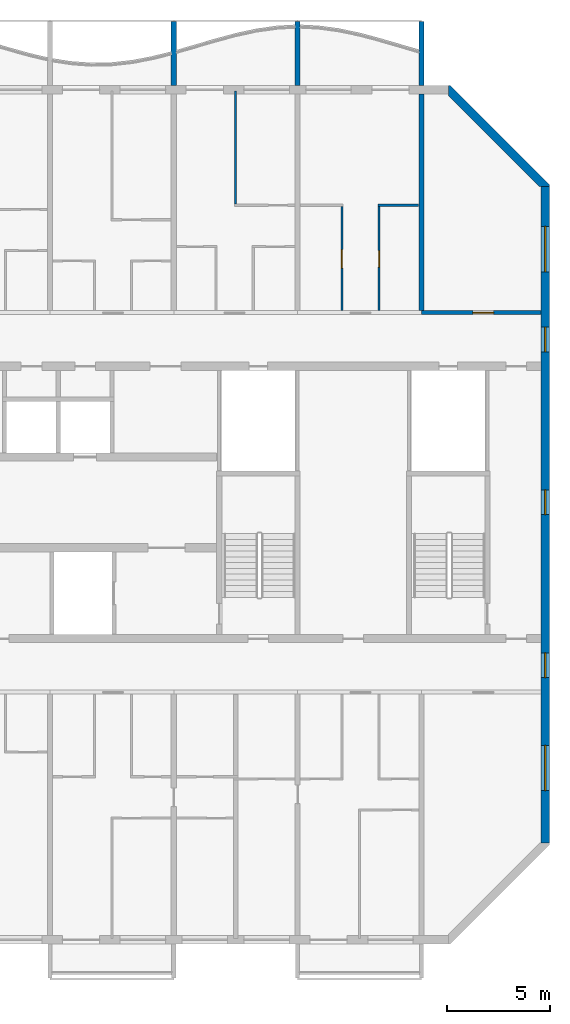
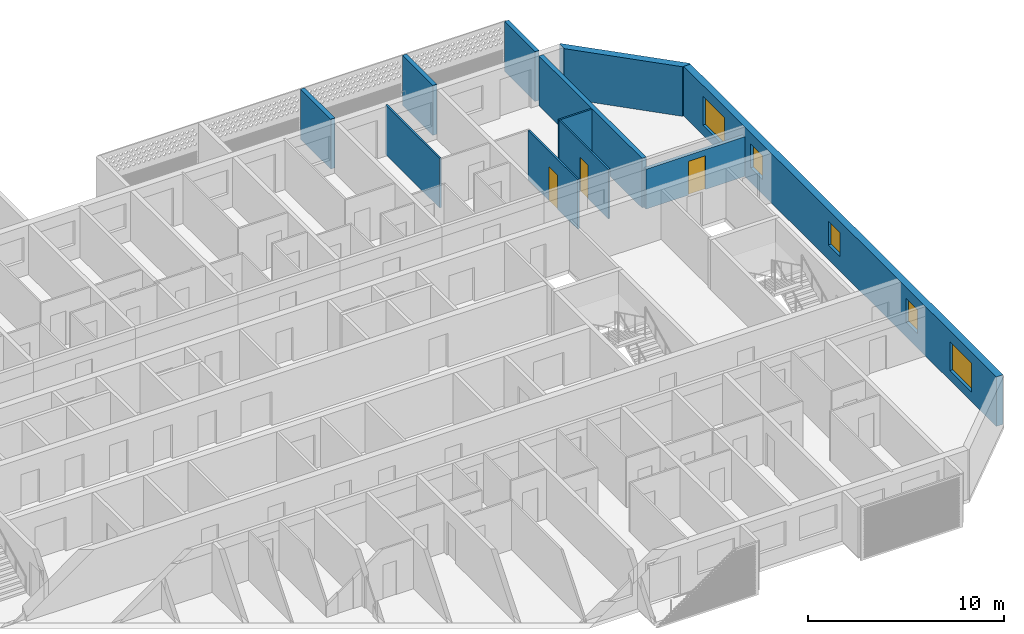
# One storey, part 11 of 28: 11 walls, 5 windows, 3 doors, 8 openings.
"""IFC4 building model written with IfcOpenShell, lengths in metres."""

from ifc_helpers import new_model, si_unit, direction, frame, frame_2d, origin, place, context, subcontext, project, spatial, polyline, rectangle, outline, extrude, source, transform, mapped, material, layer, layer_set, type_object, element, fill, save


model = new_model("IFC4")

# Units and contexts
model_context = context("Model", 3, precision=1e-05, world=origin(), true_north=direction((0.0, 1.0)))
body_context = subcontext(model_context, "Body", "Model", "MODEL_VIEW")
ifc_project = project(units=[si_unit("LENGTHUNIT", "METRE"), si_unit("AREAUNIT", "SQUARE_METRE"), si_unit("VOLUMEUNIT", "CUBIC_METRE"), si_unit("PLANEANGLEUNIT", "RADIAN"), si_unit("MASSUNIT", "GRAM", prefix="KILO")], contexts=[model_context])

# Site, building, storey
site_placement = place(None, origin())
site = spatial("IfcSite", under=ifc_project, at=site_placement, CompositionType="ELEMENT")
building_placement = place(site_placement, origin())
building = spatial("IfcBuilding", under=site, at=building_placement, Name="Poui Terraces", CompositionType="ELEMENT")
storey_placement = place(building_placement, frame((0.0, 0.0, 185.10009765625)))
storey = spatial("IfcBuildingStorey", under=building, at=storey_placement, Name="L51", CompositionType="ELEMENT", Elevation=185.10009765625)

# Wall, opening, door
ifc_material_1 = material(Name="Concrete 50 MPa", Category="concrete")
ifc_layer_1 = layer(ifc_material_1, 0.199951171875)
ifc_layer_set_1 = layer_set([ifc_layer_1], Name="Concrete 50 MPa")
wall_type_1 = type_object("IfcWallType", Name="CORRIDOR WALL 200 50MPa", PredefinedType="SHEAR", material=ifc_layer_set_1)
wall_1_placement = place(storey_placement, frame((78.0, 30.39990234375, 0.0), z_axis=(0.0, 0.0, 1.0), x_axis=(1.0, 0.0, 0.0)))
wall_1 = element("IfcWall", 1, at=wall_1_placement, inside=storey, type_object=wall_type_1, Name="CORRIDOR WALL LINE E BAY 11", PredefinedType="SHEAR", context=body_context, shape_type="SweptSolid", body=[
    extrude(rectangle(XDim=5.800048828125, YDim=0.199951171875, at=frame_2d((2.89990234375, 0.0))), origin(), (0.0, 0.0, 1.0), 2.47998046875),
])
opening_1_placement = place(wall_1_placement, frame((2.5, 0.0, 0.0)))
opening_1 = element("IfcOpeningElement", 2, at=opening_1_placement, cuts=wall_1, Name="Opening D100", PredefinedType="OPENING", context=body_context, shape_type="SweptSolid", body=[
    extrude(rectangle(XDim=1.0, YDim=2.10009765625, at=frame_2d((0.5, 1.050048828125))), frame((0.0, 0.10986328125, 0.0), z_axis=(0.0, -1.0, 0.0), x_axis=(1.0, 0.0, 0.0)), (0.0, 0.0, 1.0), 0.219970703125),
])
ifc_material_2 = material(Name="Solid core timber door", Category="wood")
door_type_1 = type_object("IfcDoorType", Name="ACCESSIBLE INTERNAL DOOR 1000 X 2100", OperationType="NOTDEFINED", PredefinedType="DOOR", material=ifc_material_2)
door_1_placement = place(opening_1_placement, origin())
door_1 = element("IfcDoor", 3, at=door_1_placement, inside=storey, type_object=door_type_1, Name="ACCESSIBLE INTERNAL DOOR 063", OperationType="SINGLE_SWING_LEFT", OverallHeight=2.10009765625, OverallWidth=1.0, PredefinedType="DOOR", context=body_context, shape_type="SweptSolid", body=[
    extrude(rectangle(XDim=1.0, YDim=2.10009765625, at=frame_2d((0.5, 1.050048828125))), frame((0.0, 0.02490234375, 0.0), z_axis=(0.0, -1.0, 0.0), x_axis=(1.0, 0.0, 0.0)), (0.0, 0.0, 1.0), 0.050048828125),
])
fill(opening_1, door_1)

# Wall
ifc_layer_2 = layer(ifc_material_1, 0.25)
ifc_layer_set_2 = layer_set([ifc_layer_2], Name="Concrete 50 MPa")
wall_type_2 = type_object("IfcWallType", Name="CROSS WALL 250 50MPa", PredefinedType="SHEAR", material=ifc_layer_set_2)
wall_2_placement = place(storey_placement, frame((78.0, 30.5, 0.0), z_axis=(0.0, 0.0, 1.0), x_axis=(0.0, 1.0, 0.0)))
element("IfcWall", 4, at=wall_2_placement, inside=storey, type_object=wall_type_2, Name="CROSS WALL LINE 14 NORTH", PredefinedType="SHEAR", context=body_context, shape_type="SweptSolid", body=[
    extrude(rectangle(XDim=10.5, YDim=0.25, at=frame_2d((5.25, 0.0))), origin(), (0.0, 0.0, 1.0), 3.079833984375),
])

# Wall, openings, windows
ifc_layer_3 = layer(ifc_material_1, 0.39990234375)
ifc_layer_set_3 = layer_set([ifc_layer_3], Name="Concrete 50 MPa")
wall_type_3 = type_object("IfcWallType", Name="END WALL 400 50MPa", PredefinedType="SHEAR", material=ifc_layer_set_3)
wall_3_placement = place(storey_placement, frame((84.0, 4.682861328125, 0.0), z_axis=(0.0, 0.0, 1.0), x_axis=(0.0, 1.0, 0.0)))
wall_3 = element("IfcWall", 5, at=wall_3_placement, inside=storey, type_object=wall_type_3, Name="END WALL EAST", PredefinedType="SHEAR", context=body_context, shape_type="SweptSolid", body=[
    extrude(rectangle(XDim=31.834228515625, YDim=0.39990234375, at=frame_2d((15.9169921875, 0.0))), origin(), (0.0, 0.0, 1.0), 3.079833984375),
])
opening_2_placement = place(wall_3_placement, frame((23.817138671875, 0.0, 0.89990234375)))
opening_2 = element("IfcOpeningElement", 6, at=opening_2_placement, cuts=wall_3, Name="Opening W2", PredefinedType="OPENING", context=body_context, shape_type="SweptSolid", body=[
    extrude(rectangle(XDim=1.199951171875, YDim=1.5, at=frame_2d((0.60009765625, 0.75))), frame((0.0, 0.2099609375, 0.0), z_axis=(0.0, -1.0, 0.0), x_axis=(1.0, 0.0, 0.0)), (0.0, 0.0, 1.0), 0.419921875),
])
opening_3_placement = place(wall_3_placement, frame((8.01708984375, 0.0, 0.89990234375)))
opening_3 = element("IfcOpeningElement", 7, at=opening_3_placement, cuts=wall_3, Name="Opening W2", PredefinedType="OPENING", context=body_context, shape_type="SweptSolid", body=[
    extrude(rectangle(XDim=1.199951171875, YDim=1.5, at=frame_2d((0.60009765625, 0.75))), frame((0.0, 0.2099609375, 0.0), z_axis=(0.0, -1.0, 0.0), x_axis=(1.0, 0.0, 0.0)), (0.0, 0.0, 1.0), 0.419921875),
])
opening_4_placement = place(wall_3_placement, frame((27.693603515625, 0.0, 0.60009765625)))
opening_4 = element("IfcOpeningElement", 8, at=opening_4_placement, cuts=wall_3, Name="Opening W3", PredefinedType="OPENING", context=body_context, shape_type="SweptSolid", body=[
    extrude(rectangle(XDim=2.199951171875, YDim=1.800048828125, at=frame_2d((1.10009765625, 0.89990234375))), frame((0.0, 0.2099609375, 0.0), z_axis=(0.0, -1.0, 0.0), x_axis=(1.0, 0.0, 0.0)), (0.0, 0.0, 1.0), 0.419921875),
])
opening_5_placement = place(wall_3_placement, frame((2.541015625, 0.0, 0.60009765625)))
opening_5 = element("IfcOpeningElement", 9, at=opening_5_placement, cuts=wall_3, Name="Opening W3", PredefinedType="OPENING", context=body_context, shape_type="SweptSolid", body=[
    extrude(rectangle(XDim=2.199951171875, YDim=1.800048828125, at=frame_2d((1.10009765625, 0.89990234375))), frame((0.0, 0.2099609375, 0.0), z_axis=(0.0, -1.0, 0.0), x_axis=(1.0, 0.0, 0.0)), (0.0, 0.0, 1.0), 0.419921875),
])
opening_6_placement = place(wall_3_placement, frame((15.917236328125, 0.0, 0.89990234375)))
opening_6 = element("IfcOpeningElement", 10, at=opening_6_placement, cuts=wall_3, Name="Opening W2", PredefinedType="OPENING", context=body_context, shape_type="SweptSolid", body=[
    extrude(rectangle(XDim=1.199951171875, YDim=1.5, at=frame_2d((0.60009765625, 0.75))), frame((0.0, 0.2099609375, 0.0), z_axis=(0.0, -1.0, 0.0), x_axis=(1.0, 0.0, 0.0)), (0.0, 0.0, 1.0), 0.419921875),
])
ifc_material_3 = material(Name="Clear glass in aluminium frame", Category="aluminium")
window_type_1 = type_object("IfcWindowType", Name="WINDOW 1200X1500", PartitioningType="SINGLE_PANEL", PredefinedType="WINDOW", material=ifc_material_3)
window_1_placement = place(opening_2_placement, origin())
window_1 = element("IfcWindow", 11, at=window_1_placement, inside=storey, type_object=window_type_1, Name="W2 WINDOW", OverallHeight=1.5, OverallWidth=1.199951171875, PartitioningType="SINGLE_PANEL", PredefinedType="WINDOW", context=body_context, shape_type="SweptSolid", body=[
    extrude(rectangle(XDim=1.199951171875, YDim=1.5, at=frame_2d((0.60009765625, 0.75))), frame((0.0, 0.030029296875, 0.0), z_axis=(0.0, -1.0, 0.0), x_axis=(1.0, 0.0, 0.0)), (0.0, 0.0, 1.0), 0.06005859375),
])
fill(opening_2, window_1)
window_2_placement = place(opening_3_placement, origin())
window_2 = element("IfcWindow", 12, at=window_2_placement, inside=storey, type_object=window_type_1, Name="W2 WINDOW", OverallHeight=1.5, OverallWidth=1.199951171875, PartitioningType="SINGLE_PANEL", PredefinedType="WINDOW", context=body_context, shape_type="SweptSolid", body=[
    extrude(rectangle(XDim=1.199951171875, YDim=1.5, at=frame_2d((0.60009765625, 0.75))), frame((0.0, 0.030029296875, 0.0), z_axis=(0.0, -1.0, 0.0), x_axis=(1.0, 0.0, 0.0)), (0.0, 0.0, 1.0), 0.06005859375),
])
fill(opening_3, window_2)
window_3_placement = place(opening_6_placement, origin())
window_3 = element("IfcWindow", 13, at=window_3_placement, inside=storey, type_object=window_type_1, Name="W2 WINDOW", OverallHeight=1.5, OverallWidth=1.199951171875, PartitioningType="SINGLE_PANEL", PredefinedType="WINDOW", context=body_context, shape_type="SweptSolid", body=[
    extrude(rectangle(XDim=1.199951171875, YDim=1.5, at=frame_2d((0.60009765625, 0.75))), frame((0.0, 0.030029296875, 0.0), z_axis=(0.0, -1.0, 0.0), x_axis=(1.0, 0.0, 0.0)), (0.0, 0.0, 1.0), 0.06005859375),
])
fill(opening_6, window_3)
window_type_2 = type_object("IfcWindowType", Name="WINDOW 2200X1800", PartitioningType="DOUBLE_PANEL_HORIZONTAL", PredefinedType="WINDOW", material=ifc_material_3)
window_4_placement = place(opening_4_placement, origin())
window_4 = element("IfcWindow", 14, at=window_4_placement, inside=storey, type_object=window_type_2, Name="W3 WINDOW", OverallHeight=1.800048828125, OverallWidth=2.199951171875, PartitioningType="DOUBLE_PANEL_HORIZONTAL", PredefinedType="WINDOW", context=body_context, shape_type="SweptSolid", body=[
    extrude(rectangle(XDim=2.199951171875, YDim=1.800048828125, at=frame_2d((1.10009765625, 0.89990234375))), frame((0.0, 0.030029296875, 0.0), z_axis=(0.0, -1.0, 0.0), x_axis=(1.0, 0.0, 0.0)), (0.0, 0.0, 1.0), 0.06005859375),
])
fill(opening_4, window_4)
window_5_placement = place(opening_5_placement, origin())
window_5 = element("IfcWindow", 15, at=window_5_placement, inside=storey, type_object=window_type_2, Name="W3 WINDOW", OverallHeight=1.800048828125, OverallWidth=2.199951171875, PartitioningType="DOUBLE_PANEL_HORIZONTAL", PredefinedType="WINDOW", context=body_context, shape_type="SweptSolid", body=[
    extrude(rectangle(XDim=2.199951171875, YDim=1.800048828125, at=frame_2d((1.10009765625, 0.89990234375))), frame((0.0, 0.030029296875, 0.0), z_axis=(0.0, -1.0, 0.0), x_axis=(1.0, 0.0, 0.0)), (0.0, 0.0, 1.0), 0.06005859375),
])
fill(opening_5, window_5)

# Walls
ifc_material_4 = material(Name="Plasterboard partition")
ifc_layer_4 = layer(ifc_material_4, 0.10009765625)
ifc_layer_set_4 = layer_set([ifc_layer_4], Name="Plasterboard partition")
wall_type_4 = type_object("IfcWallType", Name="FLAT PARTITION 100", PredefinedType="PARTITIONING", material=ifc_layer_set_4)
wall_4_placement = place(storey_placement, frame((75.89990234375, 35.60009765625, 0.0), z_axis=(0.0, 0.0, 1.0), x_axis=(1.0, 0.0, 0.0)))
element("IfcWall", 16, at=wall_4_placement, inside=storey, type_object=wall_type_4, Name="FLAT PARTITION 100", PredefinedType="PARTITIONING", context=body_context, shape_type="SweptSolid", body=[
    extrude(rectangle(XDim=1.965087890625, YDim=0.10009765625, at=frame_2d((0.982421875, 0.0))), origin(), (0.0, 0.0, 1.0), 3.079833984375),
])
wall_5_placement = place(storey_placement, frame((69.0, 35.64990234375, 0.0), z_axis=(0.0, 0.0, 1.0), x_axis=(0.0, 1.0, 0.0)))
element("IfcWall", 17, at=wall_5_placement, inside=storey, type_object=wall_type_4, Name="FLAT PARTITION 100", PredefinedType="PARTITIONING", context=body_context, shape_type="SweptSolid", body=[
    extrude(rectangle(XDim=5.489990234375, YDim=0.10009765625, at=frame_2d((2.7451171875, 0.0))), origin(), (0.0, 0.0, 1.0), 3.079833984375),
])

# Wall, opening, door
wall_6_placement = place(storey_placement, frame((74.14990234375, 30.510009765625, 0.0), z_axis=(0.0, 0.0, 1.0), x_axis=(0.0, 1.0, 0.0)))
wall_6 = element("IfcWall", 18, at=wall_6_placement, inside=storey, type_object=wall_type_4, Name="FLAT PARTITION 100", PredefinedType="PARTITIONING", context=body_context, shape_type="SweptSolid", body=[
    extrude(rectangle(XDim=5.0400390625, YDim=0.10009765625, at=frame_2d((2.52001953125, 0.0))), origin(), (0.0, 0.0, 1.0), 3.079833984375),
])
opening_7_placement = place(wall_6_placement, frame((2.0400390625, 0.0, 0.0)))
opening_7 = element("IfcOpeningElement", 19, at=opening_7_placement, cuts=wall_6, Name="Opening D90", PredefinedType="OPENING", context=body_context, shape_type="SweptSolid", body=[
    extrude(rectangle(XDim=0.89990234375, YDim=2.10009765625, at=frame_2d((0.449951171875, 1.050048828125))), frame((0.0, 0.06005859375, 0.0), z_axis=(0.0, -1.0, 0.0), x_axis=(1.0, 0.0, 0.0)), (0.0, 0.0, 1.0), 0.1201171875),
])
door_type_2 = type_object("IfcDoorType", Name="INTERNAL DOOR 900 X 2100", OperationType="NOTDEFINED", PredefinedType="DOOR", material=ifc_material_2)
door_2_placement = place(opening_7_placement, origin())
door_2 = element("IfcDoor", 20, at=door_2_placement, inside=storey, type_object=door_type_2, Name="INTERNAL DOOR 060", OperationType="SINGLE_SWING_LEFT", OverallHeight=2.10009765625, OverallWidth=0.89990234375, PredefinedType="DOOR", context=body_context, shape_type="SweptSolid", body=[
    extrude(rectangle(XDim=0.89990234375, YDim=2.10009765625, at=frame_2d((0.449951171875, 1.050048828125))), frame((0.0, 0.02490234375, 0.0), z_axis=(0.0, -1.0, 0.0), x_axis=(1.0, 0.0, 0.0)), (0.0, 0.0, 1.0), 0.050048828125),
])
fill(opening_7, door_2)

wall_7_placement = place(storey_placement, frame((75.949951171875, 30.510009765625, 0.0), z_axis=(0.0, 0.0, 1.0), x_axis=(0.0, 1.0, 0.0)))
wall_7 = element("IfcWall", 21, at=wall_7_placement, inside=storey, type_object=wall_type_4, Name="FLAT PARTITION 100", PredefinedType="PARTITIONING", context=body_context, shape_type="SweptSolid", body=[
    extrude(rectangle(XDim=5.0400390625, YDim=0.10009765625, at=frame_2d((2.52001953125, 0.0))), origin(), (0.0, 0.0, 1.0), 3.079833984375),
])
opening_8_placement = place(wall_7_placement, frame((2.090087890625, 0.0, 0.0)))
opening_8 = element("IfcOpeningElement", 22, at=opening_8_placement, cuts=wall_7, Name="Opening D80", PredefinedType="OPENING", context=body_context, shape_type="SweptSolid", body=[
    extrude(rectangle(XDim=0.800048828125, YDim=2.10009765625, at=frame_2d((0.39990234375, 1.050048828125))), frame((0.0, 0.06005859375, 0.0), z_axis=(0.0, -1.0, 0.0), x_axis=(1.0, 0.0, 0.0)), (0.0, 0.0, 1.0), 0.1201171875),
])
door_type_3 = type_object("IfcDoorType", Name="BATHROOM, LAUNDRY AND STORE DOOR 800 X 2100", OperationType="NOTDEFINED", PredefinedType="DOOR", material=ifc_material_2)
door_3_placement = place(opening_8_placement, frame((0.800048828125, 0.0, 0.0), z_axis=(0.0, 0.0, 1.0), x_axis=(-1.0, 0.0, 0.0)))
door_3 = element("IfcDoor", 23, at=door_3_placement, inside=storey, type_object=door_type_3, Name="BATHROOM, LAUNDRY AND STORE DOOR 062", OperationType="SINGLE_SWING_LEFT", OverallHeight=2.10009765625, OverallWidth=0.800048828125, PredefinedType="DOOR", context=body_context, shape_type="SweptSolid", body=[
    extrude(rectangle(XDim=0.800048828125, YDim=2.10009765625, at=frame_2d((0.39990234375, 1.050048828125))), frame((0.0, 0.02490234375, 0.0), z_axis=(0.0, -1.0, 0.0), x_axis=(1.0, 0.0, 0.0)), (0.0, 0.0, 1.0), 0.050048828125),
])
fill(opening_8, door_3)

# Walls
ifc_material_5 = material(Name="Precast concrete 40 MPa", Category="concrete")
ifc_layer_5 = layer(ifc_material_5, 0.39990234375)
ifc_layer_set_5 = layer_set([ifc_layer_5], Name="Precast concrete 40 MPa")
wall_type_5 = type_object("IfcWallType", Name="TERRACOTTA CLAD CHAMFER WALL 400", PredefinedType="STANDARD", material=ifc_layer_set_5)
wall_8_placement = place(storey_placement, origin())
element("IfcWall", 24, at=wall_8_placement, inside=storey, type_object=wall_type_5, Name="CHAMFER WALL CH03", PredefinedType="STANDARD", context=body_context, shape_type="SweptSolid", body=[
    extrude(outline(polyline([(84.199951171875, 36.51708984375), (84.199951171875, 36.60009765625), (79.39990234375, 41.39990234375), (79.317138671875, 41.39990234375), (79.317138671875, 40.917236328125), (83.71728515625, 36.51708984375), (84.199951171875, 36.51708984375)])), origin(), (0.0, 0.0, 1.0), 3.079833984375),
])
ifc_layer_6 = layer(ifc_material_5, 0.25)
ifc_layer_set_6 = layer_set([ifc_layer_6], Name="Precast concrete 40 MPa")
wall_type_6 = type_object("IfcWallType", Name="BALCONY FIN 250", PredefinedType="STANDARD", material=ifc_layer_set_6)
shared_shape = source(origin(), body_context, "Body", "SweptSolid", [
    extrude(outline(polyline([(0.0, 0.0), (0.25, 0.0), (0.25, 3.10009765625), (0.0, 3.10009765625), (0.0, 0.0)])), origin(), (0.0, 0.0, 1.0), 3.099853515625),
])
for number, where, name in (
    (25, (65.875, 41.39990234375, 0.0), "BALCONY FIN"),
    (26, (71.875, 41.39990234375, 0.0), "BALCONY FIN"),
    (27, (77.875, 41.39990234375, 0.0), "BALCONY FIN"),
):
    element("IfcWall", number, at=place(storey_placement, frame(where)), inside=storey, type_object=wall_type_6, Name=name, PredefinedType="STANDARD", context=body_context, shape_type="MappedRepresentation", body=[
        mapped(shared_shape, transform((0.0, 0.0, 0.0))),
    ])

save(model, "model.ifc")
